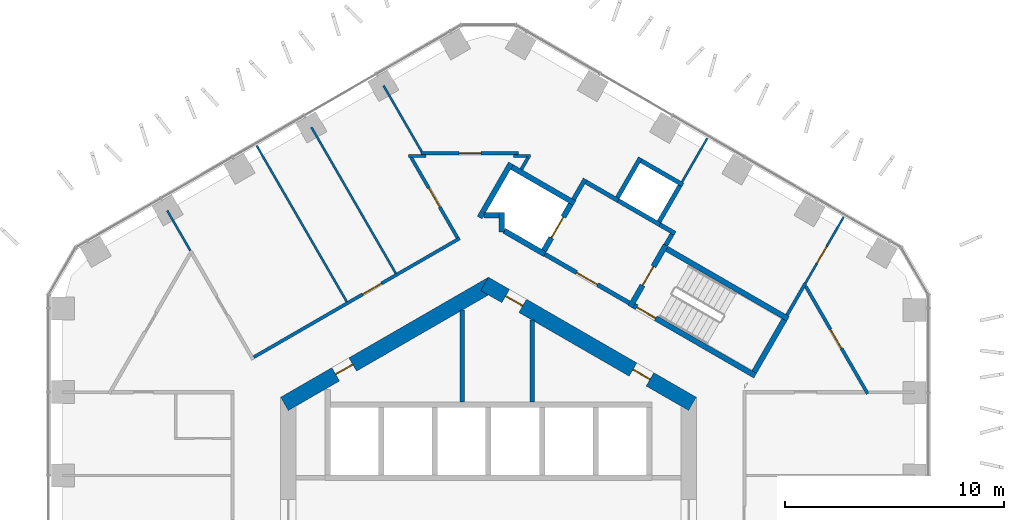
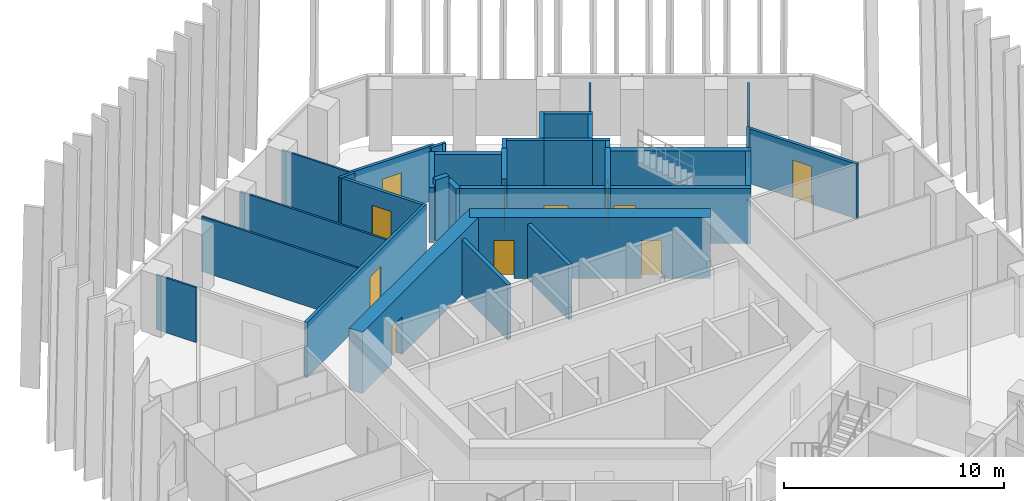
# One storey, part 14 of 18: 37 walls, 12 doors, 12 openings.
"""IFC4 building model written with IfcOpenShell, lengths in metres."""

from ifc_helpers import new_model, si_unit, direction, frame, frame_2d, origin, place, context, subcontext, project, spatial, rectangle, extrude, material, layer, layer_set, type_object, element, fill, save


model = new_model("IFC4")

# Units and contexts
model_context = context("Model", 3, precision=1e-05, world=origin(), true_north=direction((0.0, 1.0)))
body_context = subcontext(model_context, "Body", "Model", "MODEL_VIEW")
ifc_project = project(units=[si_unit("LENGTHUNIT", "METRE"), si_unit("AREAUNIT", "SQUARE_METRE"), si_unit("VOLUMEUNIT", "CUBIC_METRE"), si_unit("PLANEANGLEUNIT", "RADIAN"), si_unit("MASSUNIT", "GRAM", prefix="KILO")], contexts=[model_context])

# Site, building, storey
site_placement = place(None, origin())
site = spatial("IfcSite", under=ifc_project, at=site_placement, CompositionType="ELEMENT")
building_placement = place(site_placement, origin())
building = spatial("IfcBuilding", under=site, at=building_placement, Name="Ayvan Gate Tower", CompositionType="ELEMENT")
storey_placement = place(building_placement, frame((0.0, 0.0, 83.10009765625)))
storey = spatial("IfcBuildingStorey", under=building, at=storey_placement, Name="L21", CompositionType="ELEMENT", Elevation=83.10009765625)

# Wall, openings, doors
ifc_material_1 = material(Name="Concrete C70/85", Category="concrete")
ifc_layer_1 = layer(ifc_material_1, 0.699951171875)
ifc_layer_set_1 = layer_set([ifc_layer_1], Name="Concrete C70/85")
wall_type_1 = type_object("IfcWallType", Name="Core wall 700 C70/85", PredefinedType="SHEAR", material=ifc_layer_set_1)
wall_1_placement = place(storey_placement, frame((9.324951171875, 5.181640625, 0.0), z_axis=(0.0, 0.0, 1.0), x_axis=(-0.866023993627, 0.500002442456, 0.0)))
wall_1 = element("IfcWall", 1, at=wall_1_placement, inside=storey, type_object=wall_type_1, Name="CORE-L21-1", PredefinedType="SHEAR", context=body_context, shape_type="SweptSolid", body=[
    extrude(rectangle(XDim=10.9697265625, YDim=0.699951171875, at=frame_2d((5.48486328125, 0.0))), origin(), (0.0, 0.0, 1.0), 3.39990234375),
])
opening_1_placement = place(wall_1_placement, frame((8.960205078125, 0.0, 0.0)))
opening_1 = element("IfcOpeningElement", 2, at=opening_1_placement, cuts=wall_1, Name="Opening L21-D38", PredefinedType="OPENING", context=body_context, shape_type="SweptSolid", body=[
    extrude(rectangle(XDim=0.89990234375, YDim=2.10009765625, at=frame_2d((0.449951171875, 1.050048828125))), frame((0.0, 0.35986328125, 0.0), z_axis=(0.0, -1.0, 0.0), x_axis=(1.0, 0.0, 0.0)), (0.0, 0.0, 1.0), 0.719970703125),
])
opening_2_placement = place(wall_1_placement, frame((2.239990234375, 0.0, 0.0)))
opening_2 = element("IfcOpeningElement", 3, at=opening_2_placement, cuts=wall_1, Name="Opening L21-D39", PredefinedType="OPENING", context=body_context, shape_type="SweptSolid", body=[
    extrude(rectangle(XDim=0.89990234375, YDim=2.10009765625, at=frame_2d((0.449951171875, 1.050048828125))), frame((0.0, 0.35986328125, 0.0), z_axis=(0.0, -1.0, 0.0), x_axis=(1.0, 0.0, 0.0)), (0.0, 0.0, 1.0), 0.719970703125),
])
ifc_material_2 = material(Name="Timber door leaf", Category="wood")
door_type_1 = type_object("IfcDoorType", Name="DT-900", OperationType="NOTDEFINED", PredefinedType="DOOR", material=ifc_material_2)
door_1_placement = place(opening_1_placement, origin())
door_1 = element("IfcDoor", 4, at=door_1_placement, inside=storey, type_object=door_type_1, Name="CD-L21-38", OperationType="SINGLE_SWING_LEFT", OverallHeight=2.10009765625, OverallWidth=0.89990234375, PredefinedType="DOOR", context=body_context, shape_type="SweptSolid", body=[
    extrude(rectangle(XDim=0.89990234375, YDim=2.10009765625, at=frame_2d((0.449951171875, 1.050048828125))), frame((0.0, 0.02490234375, 0.0), z_axis=(0.0, -1.0, 0.0), x_axis=(1.0, 0.0, 0.0)), (0.0, 0.0, 1.0), 0.050048828125),
])
fill(opening_1, door_1)
door_2_placement = place(opening_2_placement, origin())
door_2 = element("IfcDoor", 5, at=door_2_placement, inside=storey, type_object=door_type_1, Name="CD-L21-39", OperationType="SINGLE_SWING_RIGHT", OverallHeight=2.10009765625, OverallWidth=0.89990234375, PredefinedType="DOOR", context=body_context, shape_type="SweptSolid", body=[
    extrude(rectangle(XDim=0.89990234375, YDim=2.10009765625, at=frame_2d((0.449951171875, 1.050048828125))), frame((0.0, 0.02490234375, 0.0), z_axis=(0.0, -1.0, 0.0), x_axis=(1.0, 0.0, 0.0)), (0.0, 0.0, 1.0), 0.050048828125),
])
fill(opening_2, door_2)

# Wall, opening, door
wall_2_placement = place(storey_placement, frame((0.175048828125, 10.66650390625, 0.0), z_axis=(0.0, 0.0, 1.0), x_axis=(-0.866023993627, -0.500002442456, 0.0)))
wall_2 = element("IfcWall", 6, at=wall_2_placement, inside=storey, type_object=wall_type_1, Name="CORE-L21-2", PredefinedType="SHEAR", context=body_context, shape_type="SweptSolid", body=[
    extrude(rectangle(XDim=10.9697265625, YDim=0.699951171875, at=frame_2d((5.48486328125, 0.0))), origin(), (0.0, 0.0, 1.0), 3.39990234375),
])
opening_3_placement = place(wall_2_placement, frame((7.367919921875, 0.0, 0.0)))
opening_3 = element("IfcOpeningElement", 7, at=opening_3_placement, cuts=wall_2, Name="Opening L21-D37", PredefinedType="OPENING", context=body_context, shape_type="SweptSolid", body=[
    extrude(rectangle(XDim=0.89990234375, YDim=2.10009765625, at=frame_2d((0.449951171875, 1.050048828125))), frame((0.0, 0.35986328125, 0.0), z_axis=(0.0, -1.0, 0.0), x_axis=(1.0, 0.0, 0.0)), (0.0, 0.0, 1.0), 0.719970703125),
])
door_3_placement = place(opening_3_placement, origin())
door_3 = element("IfcDoor", 8, at=door_3_placement, inside=storey, type_object=door_type_1, Name="CD-L21-37", OperationType="SINGLE_SWING_RIGHT", OverallHeight=2.10009765625, OverallWidth=0.89990234375, PredefinedType="DOOR", context=body_context, shape_type="SweptSolid", body=[
    extrude(rectangle(XDim=0.89990234375, YDim=2.10009765625, at=frame_2d((0.449951171875, 1.050048828125))), frame((0.0, 0.02490234375, 0.0), z_axis=(0.0, -1.0, 0.0), x_axis=(1.0, 0.0, 0.0)), (0.0, 0.0, 1.0), 0.050048828125),
])
fill(opening_3, door_3)

ifc_material_3 = material(Name="Plasterboard on steel stud", Category="steel")
ifc_layer_2 = layer(ifc_material_3, 0.14990234375)
ifc_layer_set_2 = layer_set([ifc_layer_2], Name="Plasterboard on steel stud")
wall_type_2 = type_object("IfcWallType", Name="WT-CORR-150", PredefinedType="PARTITIONING", material=ifc_layer_set_2)
wall_3_placement = place(storey_placement, frame((-10.730712890625, 7.314697265625, 0.0), z_axis=(0.0, 0.0, 1.0), x_axis=(0.866024779313, 0.500001081615, 0.0)))
wall_3 = element("IfcWall", 9, at=wall_3_placement, inside=storey, type_object=wall_type_2, Name="IW-L21-017", PredefinedType="PARTITIONING", context=body_context, shape_type="SweptSolid", body=[
    extrude(rectangle(XDim=10.87158203125, YDim=0.14990234375, at=frame_2d((5.435791015625, 0.0))), origin(), (0.0, 0.0, 1.0), 3.0498046875),
])
opening_4_placement = place(wall_3_placement, frame((5.744873046875, 0.0, 0.0)))
opening_4 = element("IfcOpeningElement", 10, at=opening_4_placement, cuts=wall_3, Name="Opening L21-D35", PredefinedType="OPENING", context=body_context, shape_type="SweptSolid", body=[
    extrude(rectangle(XDim=1.0, YDim=2.10009765625, at=frame_2d((0.5, 1.050048828125))), frame((0.0, 0.0849609375, 0.0), z_axis=(0.0, -1.0, 0.0), x_axis=(1.0, 0.0, 0.0)), (0.0, 0.0, 1.0), 0.169921875),
])
door_type_2 = type_object("IfcDoorType", Name="DT-1000", OperationType="NOTDEFINED", PredefinedType="DOOR", material=ifc_material_2)
door_4_placement = place(opening_4_placement, origin())
door_4 = element("IfcDoor", 11, at=door_4_placement, inside=storey, type_object=door_type_2, Name="ID-L21-035", OperationType="SINGLE_SWING_RIGHT", OverallHeight=2.10009765625, OverallWidth=1.0, PredefinedType="DOOR", context=body_context, shape_type="SweptSolid", body=[
    extrude(rectangle(XDim=1.0, YDim=2.10009765625, at=frame_2d((0.5, 1.050048828125))), frame((0.0, 0.02490234375, 0.0), z_axis=(0.0, -1.0, 0.0), x_axis=(1.0, 0.0, 0.0)), (0.0, 0.0, 1.0), 0.050048828125),
])
fill(opening_4, door_4)

# Wall
wall_4_placement = place(storey_placement, frame((-3.6484375, 16.510986328125, 0.0), z_axis=(0.0, 0.0, 1.0), x_axis=(1.0, 0.0, 0.0)))
element("IfcWall", 12, at=wall_4_placement, inside=storey, type_object=wall_type_2, Name="IW-L21-037", PredefinedType="PARTITIONING", context=body_context, shape_type="SweptSolid", body=[
    extrude(rectangle(XDim=0.78515625, YDim=0.14990234375, at=frame_2d((0.392578125, 0.0))), origin(), (0.0, 0.0, 1.0), 3.0498046875),
])

# Wall, opening, door
wall_5_placement = place(storey_placement, frame((-3.08544921875, 16.635986328125, 0.0), z_axis=(0.0, 0.0, 1.0), x_axis=(1.0, 0.0, 0.0)))
wall_5 = element("IfcWall", 13, at=wall_5_placement, inside=storey, type_object=wall_type_2, Name="IW-L21-040", PredefinedType="PARTITIONING", context=body_context, shape_type="SweptSolid", body=[
    extrude(rectangle(XDim=4.451416015625, YDim=0.14990234375, at=frame_2d((2.2255859375, 0.0))), origin(), (0.0, 0.0, 1.0), 3.0498046875),
])
opening_5_placement = place(wall_5_placement, frame((1.742919921875, 0.0, 0.0)))
opening_5 = element("IfcOpeningElement", 14, at=opening_5_placement, cuts=wall_5, Name="Opening L21-D22", PredefinedType="OPENING", context=body_context, shape_type="SweptSolid", body=[
    extrude(rectangle(XDim=1.0, YDim=2.10009765625, at=frame_2d((0.5, 1.050048828125))), frame((0.0, 0.0849609375, 0.0), z_axis=(0.0, -1.0, 0.0), x_axis=(1.0, 0.0, 0.0)), (0.0, 0.0, 1.0), 0.169921875),
])
door_5_placement = place(opening_5_placement, origin())
door_5 = element("IfcDoor", 15, at=door_5_placement, inside=storey, type_object=door_type_2, Name="ID-L21-022", OperationType="SINGLE_SWING_LEFT", OverallHeight=2.10009765625, OverallWidth=1.0, PredefinedType="DOOR", context=body_context, shape_type="SweptSolid", body=[
    extrude(rectangle(XDim=1.0, YDim=2.10009765625, at=frame_2d((0.5, 1.050048828125))), frame((0.0, 0.02490234375, 0.0), z_axis=(0.0, -1.0, 0.0), x_axis=(1.0, 0.0, 0.0)), (0.0, 0.0, 1.0), 0.050048828125),
])
fill(opening_5, door_5)

wall_6_placement = place(storey_placement, frame((-1.418212890625, 12.77783203125, 0.0), z_axis=(0.0, 0.0, 1.0), x_axis=(-0.499970266292, 0.866042569868, 0.0)))
wall_6 = element("IfcWall", 16, at=wall_6_placement, inside=storey, type_object=wall_type_2, Name="IW-L21-046", PredefinedType="PARTITIONING", context=body_context, shape_type="SweptSolid", body=[
    extrude(rectangle(XDim=4.235595703125, YDim=0.14990234375, at=frame_2d((2.11767578125, 0.0))), origin(), (0.0, 0.0, 1.0), 3.0498046875),
])
opening_6_placement = place(wall_6_placement, frame((1.617919921875, 0.0, 0.0)))
opening_6 = element("IfcOpeningElement", 17, at=opening_6_placement, cuts=wall_6, Name="Opening L21-D34", PredefinedType="OPENING", context=body_context, shape_type="SweptSolid", body=[
    extrude(rectangle(XDim=1.0, YDim=2.10009765625, at=frame_2d((0.5, 1.050048828125))), frame((0.0, 0.0849609375, 0.0), z_axis=(0.0, -1.0, 0.0), x_axis=(1.0, 0.0, 0.0)), (0.0, 0.0, 1.0), 0.169921875),
])
door_6_placement = place(opening_6_placement, origin())
door_6 = element("IfcDoor", 18, at=door_6_placement, inside=storey, type_object=door_type_2, Name="ID-L21-034", OperationType="SINGLE_SWING_LEFT", OverallHeight=2.10009765625, OverallWidth=1.0, PredefinedType="DOOR", context=body_context, shape_type="SweptSolid", body=[
    extrude(rectangle(XDim=1.0, YDim=2.10009765625, at=frame_2d((0.5, 1.050048828125))), frame((0.0, 0.02490234375, 0.0), z_axis=(0.0, -1.0, 0.0), x_axis=(1.0, 0.0, 0.0)), (0.0, 0.0, 1.0), 0.050048828125),
])
fill(opening_6, door_6)

# Walls
wall_7_placement = place(storey_placement, frame((1.143798828125, 16.510986328125, 0.0), z_axis=(0.0, 0.0, 1.0), x_axis=(1.0, 0.0, 0.0)))
element("IfcWall", 19, at=wall_7_placement, inside=storey, type_object=wall_type_2, Name="IW-L21-059", PredefinedType="PARTITIONING", context=body_context, shape_type="SweptSolid", body=[
    extrude(rectangle(XDim=0.78515625, YDim=0.14990234375, at=frame_2d((0.392578125, 0.0))), origin(), (0.0, 0.0, 1.0), 3.0498046875),
])
wall_8_placement = place(storey_placement, frame((1.81640625, 16.446044921875, 0.0), z_axis=(0.0, 0.0, 1.0), x_axis=(-0.50008261738, -0.865977699363, 0.0)))
element("IfcWall", 20, at=wall_8_placement, inside=storey, type_object=wall_type_2, Name="IW-L21-062", PredefinedType="PARTITIONING", context=body_context, shape_type="SweptSolid", body=[
    extrude(rectangle(XDim=0.6259765625, YDim=0.14990234375, at=frame_2d((0.31298828125, 0.0))), origin(), (0.0, 0.0, 1.0), 3.0498046875),
])
wall_9_placement = place(storey_placement, frame((13.647705078125, 9.23876953125, 0.0), z_axis=(0.0, 0.0, 1.0), x_axis=(0.500027029611, 0.866009797669, 0.0)))
element("IfcWall", 21, at=wall_9_placement, inside=storey, type_object=wall_type_2, Name="IW-L21-102", PredefinedType="PARTITIONING", context=body_context, shape_type="SweptSolid", body=[
    extrude(rectangle(XDim=1.6884765625, YDim=0.14990234375, at=frame_2d((0.84423828125, 0.0))), origin(), (0.0, 0.0, 1.0), 3.0498046875),
])

# Wall, opening, door
wall_10_placement = place(storey_placement, frame((14.491943359375, 10.57080078125, 0.0), z_axis=(0.0, 0.0, 1.0), x_axis=(0.50000363893, -0.866023302837, 0.0)))
wall_10 = element("IfcWall", 22, at=wall_10_placement, inside=storey, type_object=wall_type_2, Name="IW-L21-105", PredefinedType="PARTITIONING", context=body_context, shape_type="SweptSolid", body=[
    extrude(rectangle(XDim=5.68701171875, YDim=0.14990234375, at=frame_2d((2.843505859375, 0.0))), origin(), (0.0, 0.0, 1.0), 3.0498046875),
])
opening_7_placement = place(wall_10_placement, frame((2.288818359375, 0.0, 0.0)))
opening_7 = element("IfcOpeningElement", 23, at=opening_7_placement, cuts=wall_10, Name="Opening L21-D20", PredefinedType="OPENING", context=body_context, shape_type="SweptSolid", body=[
    extrude(rectangle(XDim=1.0, YDim=2.10009765625, at=frame_2d((0.5, 1.050048828125))), frame((0.0, 0.0849609375, 0.0), z_axis=(0.0, -1.0, 0.0), x_axis=(1.0, 0.0, 0.0)), (0.0, 0.0, 1.0), 0.169921875),
])
door_7_placement = place(opening_7_placement, origin())
door_7 = element("IfcDoor", 24, at=door_7_placement, inside=storey, type_object=door_type_2, Name="ID-L21-020", OperationType="SINGLE_SWING_LEFT", OverallHeight=2.10009765625, OverallWidth=1.0, PredefinedType="DOOR", context=body_context, shape_type="SweptSolid", body=[
    extrude(rectangle(XDim=1.0, YDim=2.10009765625, at=frame_2d((0.5, 1.050048828125))), frame((0.0, 0.02490234375, 0.0), z_axis=(0.0, -1.0, 0.0), x_axis=(1.0, 0.0, 0.0)), (0.0, 0.0, 1.0), 0.050048828125),
])
fill(opening_7, door_7)

# Walls
ifc_layer_3 = layer(ifc_material_3, 0.10009765625)
ifc_layer_set_3 = layer_set([ifc_layer_3], Name="Plasterboard on steel stud")
wall_type_3 = type_object("IfcWallType", Name="WT-PART-100", PredefinedType="PARTITIONING", material=ifc_layer_set_3)
wall_11_placement = place(storey_placement, frame((-14.6884765625, 14.01953125, 0.0), z_axis=(0.0, 0.0, 1.0), x_axis=(0.500079259916, -0.865979638214, 0.0)))
element("IfcWall", 25, at=wall_11_placement, inside=storey, type_object=wall_type_3, Name="IW-L21-004", PredefinedType="PARTITIONING", context=body_context, shape_type="SweptSolid", body=[
    extrude(rectangle(XDim=2.112548828125, YDim=0.10009765625, at=frame_2d((1.05615234375, 0.0))), origin(), (0.0, 0.0, 1.0), 3.0498046875),
])
wall_12_placement = place(storey_placement, frame((-6.48095703125, 9.854736328125, 0.0), z_axis=(0.0, 0.0, 1.0), x_axis=(-0.499986033803, 0.866033467022, 0.0)))
element("IfcWall", 26, at=wall_12_placement, inside=storey, type_object=wall_type_3, Name="IW-L21-030", PredefinedType="PARTITIONING", context=body_context, shape_type="SweptSolid", body=[
    extrude(rectangle(XDim=8.231689453125, YDim=0.10009765625, at=frame_2d((4.11572265625, 0.0))), origin(), (0.0, 0.0, 1.0), 3.0498046875),
])
wall_13_placement = place(storey_placement, frame((-4.239013671875, 11.149169921875, 0.0), z_axis=(0.0, 0.0, 1.0), x_axis=(-0.499983743644, 0.866034789193, 0.0)))
element("IfcWall", 27, at=wall_13_placement, inside=storey, type_object=wall_type_3, Name="IW-L21-035", PredefinedType="PARTITIONING", context=body_context, shape_type="SweptSolid", body=[
    extrude(rectangle(XDim=7.710693359375, YDim=0.10009765625, at=frame_2d((3.85546875, 0.0))), origin(), (0.0, 0.0, 1.0), 3.0498046875),
])
wall_14_placement = place(storey_placement, frame((-3.048095703125, 16.700927734375, 0.0), z_axis=(0.0, 0.0, 1.0), x_axis=(-0.499982229883, 0.866035663123, 0.0)))
element("IfcWall", 28, at=wall_14_placement, inside=storey, type_object=wall_type_3, Name="IW-L21-039", PredefinedType="PARTITIONING", context=body_context, shape_type="SweptSolid", body=[
    extrude(rectangle(XDim=3.498291015625, YDim=0.10009765625, at=frame_2d((1.7490234375, 0.0))), origin(), (0.0, 0.0, 1.0), 3.0498046875),
])
wall_15_placement = place(storey_placement, frame((8.85009765625, 15.32861328125, 0.0), z_axis=(0.0, 0.0, 1.0), x_axis=(0.500009533716, 0.866019899421, 0.0)))
element("IfcWall", 29, at=wall_15_placement, inside=storey, type_object=wall_type_3, Name="IW-L21-091", PredefinedType="PARTITIONING", context=body_context, shape_type="SweptSolid", body=[
    extrude(rectangle(XDim=2.306640625, YDim=0.10009765625, at=frame_2d((1.1533203125, 0.0))), origin(), (0.0, 0.0, 1.0), 3.0498046875),
])

# Wall, opening, door
wall_16_placement = place(storey_placement, frame((14.491943359375, 10.700927734375, 0.0), z_axis=(0.0, 0.0, 1.0), x_axis=(0.500024920542, 0.866011015424, 0.0)))
wall_16 = element("IfcWall", 30, at=wall_16_placement, inside=storey, type_object=wall_type_3, Name="IW-L21-104", PredefinedType="PARTITIONING", context=body_context, shape_type="SweptSolid", body=[
    extrude(rectangle(XDim=3.493408203125, YDim=0.10009765625, at=frame_2d((1.74658203125, 0.0))), origin(), (0.0, 0.0, 1.0), 3.0498046875),
])
opening_8_placement = place(wall_16_placement, frame((1.0361328125, 0.0, 0.0)))
opening_8 = element("IfcOpeningElement", 31, at=opening_8_placement, cuts=wall_16, Name="Opening L21-D21", PredefinedType="OPENING", context=body_context, shape_type="SweptSolid", body=[
    extrude(rectangle(XDim=0.89990234375, YDim=2.10009765625, at=frame_2d((0.449951171875, 1.050048828125))), frame((0.0, 0.06005859375, 0.0), z_axis=(0.0, -1.0, 0.0), x_axis=(1.0, 0.0, 0.0)), (0.0, 0.0, 1.0), 0.1201171875),
])
door_8_placement = place(opening_8_placement, origin())
door_8 = element("IfcDoor", 32, at=door_8_placement, inside=storey, type_object=door_type_1, Name="ID-L21-021", OperationType="SINGLE_SWING_RIGHT", OverallHeight=2.10009765625, OverallWidth=0.89990234375, PredefinedType="DOOR", context=body_context, shape_type="SweptSolid", body=[
    extrude(rectangle(XDim=0.89990234375, YDim=2.10009765625, at=frame_2d((0.449951171875, 1.050048828125))), frame((0.0, 0.02490234375, 0.0), z_axis=(0.0, -1.0, 0.0), x_axis=(1.0, 0.0, 0.0)), (0.0, 0.0, 1.0), 0.050048828125),
])
fill(opening_8, door_8)

# Walls
ifc_layer_4 = layer(ifc_material_3, 0.199951171875)
ifc_layer_set_4 = layer_set([ifc_layer_4], Name="Plasterboard on steel stud")
wall_type_4 = type_object("IfcWallType", Name="WT-PLUMB-200", PredefinedType="PLUMBINGWALL", material=ifc_layer_set_4)
wall_17_placement = place(storey_placement, frame((5.931396484375, 14.473388671875, 0.0), z_axis=(0.0, 0.0, 1.0), x_axis=(0.866008176907, -0.50002983664, 0.0)))
element("IfcWall", 33, at=wall_17_placement, inside=storey, type_object=wall_type_4, Name="IW-L21-076", PredefinedType="PLUMBINGWALL", context=body_context, shape_type="SweptSolid", body=[
    extrude(rectangle(XDim=2.199951171875, YDim=0.199951171875, at=frame_2d((1.10009765625, 0.0))), origin(), (0.0, 0.0, 1.0), 3.0498046875),
])
wall_18_placement = place(storey_placement, frame((5.894775390625, 14.610107421875, 0.0), z_axis=(0.0, 0.0, 1.0), x_axis=(0.49994051562, 0.866059744384, 0.0)))
element("IfcWall", 34, at=wall_18_placement, inside=storey, type_object=wall_type_4, Name="IW-L21-077", PredefinedType="PLUMBINGWALL", context=body_context, shape_type="SweptSolid", body=[
    extrude(rectangle(XDim=2.099853515625, YDim=0.199951171875, at=frame_2d((1.0498046875, 0.0))), origin(), (0.0, 0.0, 1.0), 3.0498046875),
])
wall_19_placement = place(storey_placement, frame((6.981201171875, 16.2919921875, 0.0), z_axis=(0.0, 0.0, 1.0), x_axis=(0.866035918664, -0.499981787252, 0.0)))
element("IfcWall", 35, at=wall_19_placement, inside=storey, type_object=wall_type_4, Name="IW-L21-080", PredefinedType="PLUMBINGWALL", context=body_context, shape_type="SweptSolid", body=[
    extrude(rectangle(XDim=2.2001953125, YDim=0.199951171875, at=frame_2d((1.10009765625, 0.0))), origin(), (0.0, 0.0, 1.0), 3.0498046875),
])
wall_20_placement = place(storey_placement, frame((8.75, 15.155517578125, 0.0), z_axis=(0.0, 0.0, 1.0), x_axis=(-0.499967155389, -0.866044365799, 0.0)))
element("IfcWall", 36, at=wall_20_placement, inside=storey, type_object=wall_type_4, Name="IW-L21-093", PredefinedType="PLUMBINGWALL", context=body_context, shape_type="SweptSolid", body=[
    extrude(rectangle(XDim=1.900146484375, YDim=0.199951171875, at=frame_2d((0.9501953125, 0.0))), origin(), (0.0, 0.0, 1.0), 3.0498046875),
])
ifc_layer_5 = layer(ifc_material_3, 0.199951171875)
ifc_layer_set_5 = layer_set([ifc_layer_5], Name="Plasterboard on steel stud")
wall_type_5 = type_object("IfcWallType", Name="WT-RATED-200", PredefinedType="PARTITIONING", material=ifc_layer_set_5)
wall_21_placement = place(storey_placement, frame((-1.199951171875, 9.468505859375, 0.0), z_axis=(0.0, 0.0, 1.0), x_axis=(0.0, -1.0, 0.0)))
element("IfcWall", 37, at=wall_21_placement, inside=storey, type_object=wall_type_5, Name="IW-L21-047", PredefinedType="PARTITIONING", context=body_context, shape_type="SweptSolid", body=[
    extrude(rectangle(XDim=4.193603515625, YDim=0.199951171875, at=frame_2d((2.0966796875, 0.0))), origin(), (0.0, 0.0, 1.0), 3.0498046875),
])
wall_22_placement = place(storey_placement, frame((2.0, 9.006591796875, 0.0), z_axis=(0.0, 0.0, 1.0), x_axis=(0.0, -1.0, 0.0)))
element("IfcWall", 38, at=wall_22_placement, inside=storey, type_object=wall_type_5, Name="IW-L21-063", PredefinedType="PARTITIONING", context=body_context, shape_type="SweptSolid", body=[
    extrude(rectangle(XDim=3.731689453125, YDim=0.199951171875, at=frame_2d((1.86572265625, 0.0))), origin(), (0.0, 0.0, 1.0), 3.0498046875),
])
wall_23_placement = place(storey_placement, frame((3.885009765625, 14.52880859375, 0.0), z_axis=(0.0, 0.0, 1.0), x_axis=(0.499997628298, 0.866026773083, 0.0)))
element("IfcWall", 39, at=wall_23_placement, inside=storey, type_object=wall_type_5, Name="IW-L21-072", PredefinedType="PARTITIONING", context=body_context, shape_type="SweptSolid", body=[
    extrude(rectangle(XDim=1.0751953125, YDim=0.199951171875, at=frame_2d((0.53759765625, 0.0))), origin(), (0.0, 0.0, 1.0), 3.0498046875),
])
wall_24_placement = place(storey_placement, frame((4.458984375, 15.323486328125, 0.0), z_axis=(0.0, 0.0, 1.0), x_axis=(0.866025371046, -0.500000056704, 0.0)))
element("IfcWall", 40, at=wall_24_placement, inside=storey, type_object=wall_type_5, Name="IW-L21-073", PredefinedType="PARTITIONING", context=body_context, shape_type="SweptSolid", body=[
    extrude(rectangle(XDim=1.7001953125, YDim=0.199951171875, at=frame_2d((0.85009765625, 0.0))), origin(), (0.0, 0.0, 1.0), 3.0498046875),
])

# Wall, opening, door
wall_25_placement = place(storey_placement, frame((6.4345703125, 9.794921875, 0.0), z_axis=(0.0, 0.0, 1.0), x_axis=(-0.866012907634, 0.500021643343, 0.0)))
wall_25 = element("IfcWall", 41, at=wall_25_placement, inside=storey, type_object=wall_type_5, Name="IW-L21-078", PredefinedType="PARTITIONING", context=body_context, shape_type="SweptSolid", body=[
    extrude(rectangle(XDim=4.449951171875, YDim=0.199951171875, at=frame_2d((2.22509765625, 0.0))), origin(), (0.0, 0.0, 1.0), 3.0498046875),
])
opening_9_placement = place(wall_25_placement, frame((1.675048828125, 0.0, 0.0)))
opening_9 = element("IfcOpeningElement", 42, at=opening_9_placement, cuts=wall_25, Name="Opening L21-D08", PredefinedType="OPENING", context=body_context, shape_type="SweptSolid", body=[
    extrude(rectangle(XDim=1.10009765625, YDim=2.10009765625, at=frame_2d((0.550048828125, 1.050048828125))), frame((0.0, 0.10986328125, 0.0), z_axis=(0.0, -1.0, 0.0), x_axis=(1.0, 0.0, 0.0)), (0.0, 0.0, 1.0), 0.219970703125),
])
door_type_3 = type_object("IfcDoorType", Name="DT-1100", OperationType="NOTDEFINED", PredefinedType="DOOR", material=ifc_material_2)
door_9_placement = place(opening_9_placement, origin())
door_9 = element("IfcDoor", 43, at=door_9_placement, inside=storey, type_object=door_type_3, Name="ID-L21-008", OperationType="SINGLE_SWING_LEFT", OverallHeight=2.10009765625, OverallWidth=1.10009765625, PredefinedType="DOOR", context=body_context, shape_type="SweptSolid", body=[
    extrude(rectangle(XDim=1.10009765625, YDim=2.10009765625, at=frame_2d((0.550048828125, 1.050048828125))), frame((0.0, 0.02490234375, 0.0), z_axis=(0.0, -1.0, 0.0), x_axis=(1.0, 0.0, 0.0)), (0.0, 0.0, 1.0), 0.050048828125),
])
fill(opening_9, door_9)

# Walls
wall_26_placement = place(storey_placement, frame((7.83642578125, 13.373291015625, 0.0), z_axis=(0.0, 0.0, 1.0), x_axis=(0.866094119867, -0.499880961361, 0.0)))
element("IfcWall", 44, at=wall_26_placement, inside=storey, type_object=wall_type_5, Name="IW-L21-088", PredefinedType="PARTITIONING", context=body_context, shape_type="SweptSolid", body=[
    extrude(rectangle(XDim=0.800048828125, YDim=0.199951171875, at=frame_2d((0.39990234375, 0.0))), origin(), (0.0, 0.0, 1.0), 3.0498046875),
])
wall_27_placement = place(storey_placement, frame((8.392822265625, 12.936767578125, 0.0), z_axis=(0.0, 0.0, 1.0), x_axis=(-0.500065409566, -0.86598763626, 0.0)))
element("IfcWall", 45, at=wall_27_placement, inside=storey, type_object=wall_type_5, Name="IW-L21-090", PredefinedType="PARTITIONING", context=body_context, shape_type="SweptSolid", body=[
    extrude(rectangle(XDim=0.5751953125, YDim=0.199951171875, at=frame_2d((0.28759765625, 0.0))), origin(), (0.0, 0.0, 1.0), 3.0498046875),
])
ifc_material_4 = material(Name="Concrete C50/60", Category="concrete")
ifc_layer_6 = layer(ifc_material_4, 0.25)
ifc_layer_set_6 = layer_set([ifc_layer_6], Name="Concrete C50/60")
wall_type_6 = type_object("IfcWallType", Name="WT-RC-250", PredefinedType="SHEAR", material=ifc_layer_set_6)
wall_28_placement = place(storey_placement, frame((-0.403076171875, 13.70166015625, 0.0), z_axis=(0.0, 0.0, 1.0), x_axis=(0.499976111731, 0.866039195244, 0.0)))
element("IfcWall", 46, at=wall_28_placement, inside=storey, type_object=wall_type_6, Name="IW-L21-052", PredefinedType="SHEAR", context=body_context, shape_type="SweptSolid", body=[
    extrude(rectangle(XDim=2.860595703125, YDim=0.25, at=frame_2d((1.43017578125, 0.0))), origin(), (0.0, 0.0, 1.0), 3.0498046875),
])
wall_29_placement = place(storey_placement, frame((0.60009765625, 13.03857421875, 0.0), z_axis=(0.0, 0.0, 1.0), x_axis=(0.0, 1.0, 0.0)))
element("IfcWall", 47, at=wall_29_placement, inside=storey, type_object=wall_type_6, Name="IW-L21-055", PredefinedType="SHEAR", context=body_context, shape_type="SweptSolid", body=[
    extrude(rectangle(XDim=0.896484375, YDim=0.25, at=frame_2d((0.4482421875, 0.0))), origin(), (0.0, 0.0, 1.0), 3.0498046875),
])
wall_30_placement = place(storey_placement, frame((0.47509765625, 13.81005859375, 0.0), z_axis=(0.0, 0.0, 1.0), x_axis=(-1.0, 0.0, 0.0)))
element("IfcWall", 48, at=wall_30_placement, inside=storey, type_object=wall_type_6, Name="IW-L21-056", PredefinedType="SHEAR", context=body_context, shape_type="SweptSolid", body=[
    extrude(rectangle(XDim=0.690673828125, YDim=0.25, at=frame_2d((0.34521484375, 0.0))), origin(), (0.0, 0.0, 1.0), 3.39990234375),
])
wall_31_placement = place(storey_placement, frame((1.072998046875, 16.00830078125, 0.0), z_axis=(0.0, 0.0, 1.0), x_axis=(0.866040211805, -0.499974350878, 0.0)))
element("IfcWall", 49, at=wall_31_placement, inside=storey, type_object=wall_type_6, Name="IW-L21-057", PredefinedType="SHEAR", context=body_context, shape_type="SweptSolid", body=[
    extrude(rectangle(XDim=3.300048828125, YDim=0.25, at=frame_2d((1.64990234375, 0.0))), origin(), (0.0, 0.0, 1.0), 3.0498046875),
])
wall_32_placement = place(storey_placement, frame((2.580810546875, 12.02001953125, 0.0), z_axis=(0.0, 0.0, 1.0), x_axis=(-0.86603892542, 0.499976579108, 0.0)))
element("IfcWall", 50, at=wall_32_placement, inside=storey, type_object=wall_type_6, Name="IW-L21-066", PredefinedType="SHEAR", context=body_context, shape_type="SweptSolid", body=[
    extrude(rectangle(XDim=2.162109375, YDim=0.25, at=frame_2d((1.0810546875, 0.0))), origin(), (0.0, 0.0, 1.0), 3.0498046875),
])

# Wall, opening, door
wall_33_placement = place(storey_placement, frame((2.534912109375, 12.19091796875, 0.0), z_axis=(0.0, 0.0, 1.0), x_axis=(0.500061746146, 0.865989751695, 0.0)))
wall_33 = element("IfcWall", 51, at=wall_33_placement, inside=storey, type_object=wall_type_6, Name="IW-L21-067", PredefinedType="SHEAR", context=body_context, shape_type="SweptSolid", body=[
    extrude(rectangle(XDim=2.449951171875, YDim=0.25, at=frame_2d((1.22509765625, 0.0))), origin(), (0.0, 0.0, 1.0), 3.39990234375),
])
opening_10_placement = place(wall_33_placement, frame((0.675048828125, 0.0, 0.0)))
opening_10 = element("IfcOpeningElement", 52, at=opening_10_placement, cuts=wall_33, Name="Opening L21-LD-FF1", PredefinedType="OPENING", context=body_context, shape_type="SweptSolid", body=[
    extrude(rectangle(XDim=1.10009765625, YDim=2.10009765625, at=frame_2d((0.550048828125, 1.050048828125))), frame((0.0, 0.135009765625, 0.0), z_axis=(0.0, -1.0, 0.0), x_axis=(1.0, 0.0, 0.0)), (0.0, 0.0, 1.0), 0.27001953125),
])
ifc_material_5 = material(Name="Stainless steel landing door", Category="steel")
door_type_4 = type_object("IfcDoorType", Name="DT-LANDING-1100", OperationType="SLIDING_TO_LEFT", PredefinedType="DOOR", material=ifc_material_5)
door_10_placement = place(opening_10_placement, origin())
door_10 = element("IfcDoor", 53, at=door_10_placement, inside=storey, type_object=door_type_4, Name="ID-L21-009", OperationType="SLIDING_TO_LEFT", OverallHeight=2.10009765625, OverallWidth=1.10009765625, PredefinedType="DOOR", context=body_context, shape_type="SweptSolid", body=[
    extrude(rectangle(XDim=1.10009765625, YDim=2.10009765625, at=frame_2d((0.550048828125, 1.050048828125))), frame((0.0, 0.02490234375, 0.0), z_axis=(0.0, -1.0, 0.0), x_axis=(1.0, 0.0, 0.0)), (0.0, 0.0, 1.0), 0.050048828125),
])
fill(opening_10, door_10)

wall_34_placement = place(storey_placement, frame((6.480224609375, 9.624267578125, 0.0), z_axis=(0.0, 0.0, 1.0), x_axis=(0.500017246033, 0.866015446554, 0.0)))
wall_34 = element("IfcWall", 54, at=wall_34_placement, inside=storey, type_object=wall_type_6, Name="IW-L21-079", PredefinedType="SHEAR", context=body_context, shape_type="SweptSolid", body=[
    extrude(rectangle(XDim=3.25, YDim=0.25, at=frame_2d((1.625, 0.0))), origin(), (0.0, 0.0, 1.0), 3.0498046875),
])
opening_11_placement = place(wall_34_placement, frame((1.125, 0.0, 0.0)))
opening_11 = element("IfcOpeningElement", 55, at=opening_11_placement, cuts=wall_34, Name="Opening L21-D07", PredefinedType="OPENING", context=body_context, shape_type="SweptSolid", body=[
    extrude(rectangle(XDim=1.0, YDim=2.10009765625, at=frame_2d((0.5, 1.050048828125))), frame((0.0, 0.135009765625, 0.0), z_axis=(0.0, -1.0, 0.0), x_axis=(1.0, 0.0, 0.0)), (0.0, 0.0, 1.0), 0.27001953125),
])
door_11_placement = place(opening_11_placement, origin())
door_11 = element("IfcDoor", 56, at=door_11_placement, inside=storey, type_object=door_type_2, Name="ID-L21-007", OperationType="SINGLE_SWING_RIGHT", OverallHeight=2.10009765625, OverallWidth=1.0, PredefinedType="DOOR", context=body_context, shape_type="SweptSolid", body=[
    extrude(rectangle(XDim=1.0, YDim=2.10009765625, at=frame_2d((0.5, 1.050048828125))), frame((0.0, 0.02490234375, 0.0), z_axis=(0.0, -1.0, 0.0), x_axis=(1.0, 0.0, 0.0)), (0.0, 0.0, 1.0), 0.050048828125),
])
fill(opening_11, door_11)

# Wall
wall_35_placement = place(storey_placement, frame((8.151123046875, 12.26806640625, 0.0), z_axis=(0.0, 0.0, 1.0), x_axis=(0.866025499775, -0.499999833739, 0.0)))
element("IfcWall", 57, at=wall_35_placement, inside=storey, type_object=wall_type_6, Name="IW-L21-089", PredefinedType="SHEAR", context=body_context, shape_type="SweptSolid", body=[
    extrude(rectangle(XDim=6.39990234375, YDim=0.25, at=frame_2d((3.199951171875, 0.0))), origin(), (0.0, 0.0, 1.0), 3.0498046875),
])

# Wall, opening, door
wall_36_placement = place(storey_placement, frame((12.193603515625, 6.469970703125, 0.0), z_axis=(0.0, 0.0, 1.0), x_axis=(-0.866025499775, 0.499999833739, 0.0)))
wall_36 = element("IfcWall", 58, at=wall_36_placement, inside=storey, type_object=wall_type_6, Name="IW-L21-100", PredefinedType="SHEAR", context=body_context, shape_type="SweptSolid", body=[
    extrude(rectangle(XDim=6.39990234375, YDim=0.25, at=frame_2d((3.199951171875, 0.0))), origin(), (0.0, 0.0, 1.0), 3.0498046875),
])
opening_12_placement = place(wall_36_placement, frame((5.25, 0.0, 0.0)))
opening_12 = element("IfcOpeningElement", 59, at=opening_12_placement, cuts=wall_36, Name="Opening L21-D06", PredefinedType="OPENING", context=body_context, shape_type="SweptSolid", body=[
    extrude(rectangle(XDim=1.0, YDim=2.10009765625, at=frame_2d((0.5, 1.050048828125))), frame((0.0, 0.135009765625, 0.0), z_axis=(0.0, -1.0, 0.0), x_axis=(1.0, 0.0, 0.0)), (0.0, 0.0, 1.0), 0.27001953125),
])
door_12_placement = place(opening_12_placement, origin())
door_12 = element("IfcDoor", 60, at=door_12_placement, inside=storey, type_object=door_type_2, Name="ID-L21-006", OperationType="SINGLE_SWING_LEFT", OverallHeight=2.10009765625, OverallWidth=1.0, PredefinedType="DOOR", context=body_context, shape_type="SweptSolid", body=[
    extrude(rectangle(XDim=1.0, YDim=2.10009765625, at=frame_2d((0.5, 1.050048828125))), frame((0.0, 0.02490234375, 0.0), z_axis=(0.0, -1.0, 0.0), x_axis=(1.0, 0.0, 0.0)), (0.0, 0.0, 1.0), 0.050048828125),
])
fill(opening_12, door_12)

# Wall
wall_37_placement = place(storey_placement, frame((13.52294921875, 9.022216796875, 0.0), z_axis=(0.0, 0.0, 1.0), x_axis=(-0.500034990121, -0.866005201286, 0.0)))
element("IfcWall", 61, at=wall_37_placement, inside=storey, type_object=wall_type_6, Name="IW-L21-103", PredefinedType="SHEAR", context=body_context, shape_type="SweptSolid", body=[
    extrude(rectangle(XDim=2.749755859375, YDim=0.25, at=frame_2d((1.375, 0.0))), origin(), (0.0, 0.0, 1.0), 3.0498046875),
])

save(model, "model.ifc")
